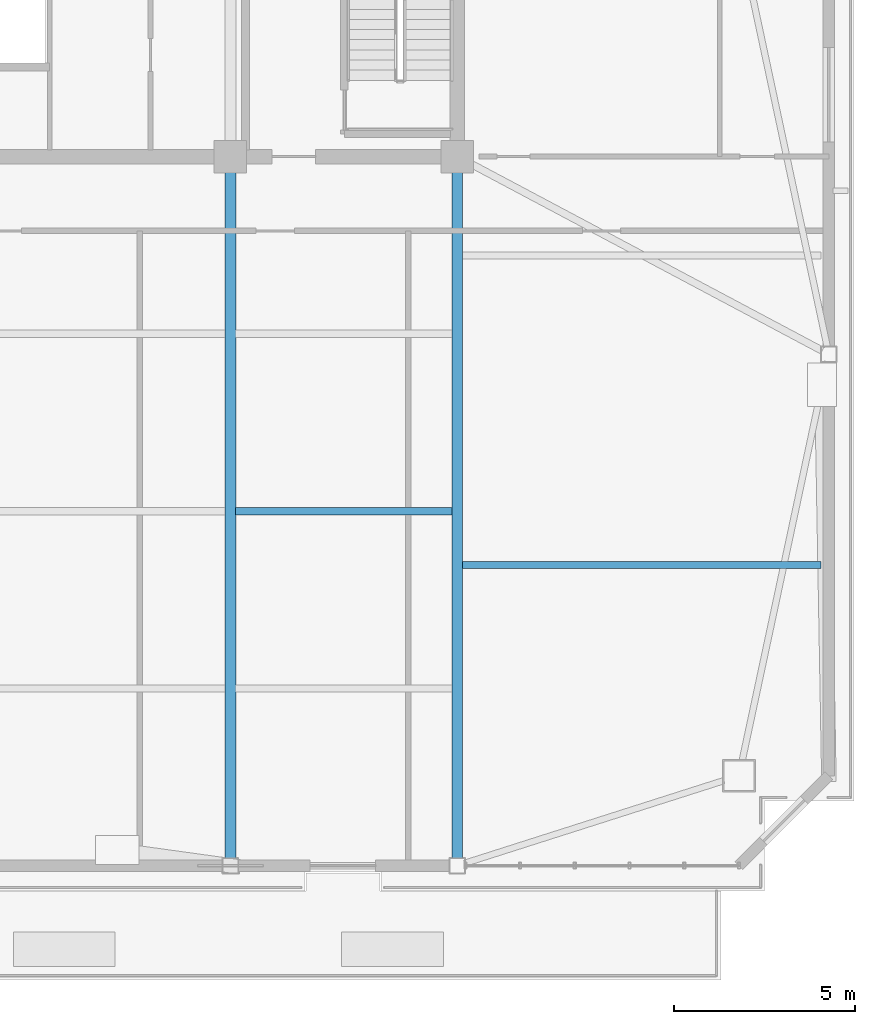
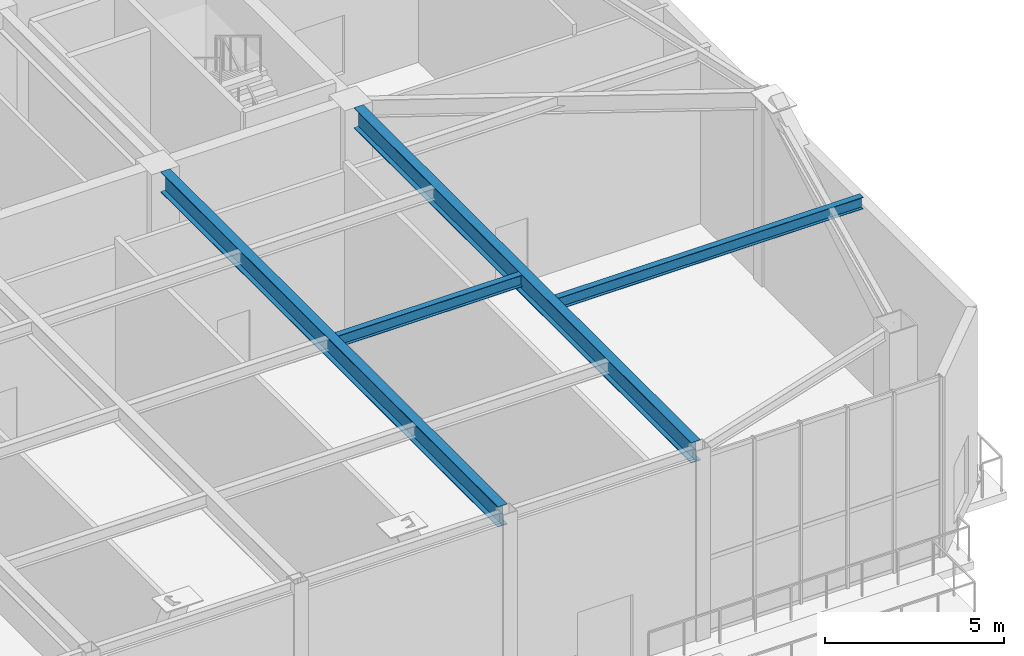
# One storey, part 5 of 15: 4 beams.
"""IFC4 building model written with IfcOpenShell, lengths in metres."""

from ifc_helpers import new_model, si_unit, direction, frame, origin, origin_2d, place, context, subcontext, project, spatial, i_section, extrude, source, transform, mapped, material, material_profile, profile_set, type_object, element, save


model = new_model("IFC4")

# Units and contexts
model_context = context("Model", 3, precision=1e-05, world=origin(), true_north=direction((0.0, 1.0)))
body_context = subcontext(model_context, "Body", "Model", "MODEL_VIEW")
ifc_project = project(units=[si_unit("LENGTHUNIT", "METRE"), si_unit("AREAUNIT", "SQUARE_METRE"), si_unit("VOLUMEUNIT", "CUBIC_METRE"), si_unit("PLANEANGLEUNIT", "RADIAN"), si_unit("MASSUNIT", "GRAM", prefix="KILO")], contexts=[model_context])

# Site, building, storey
site_placement = place(None, origin())
site = spatial("IfcSite", under=ifc_project, at=site_placement, CompositionType="ELEMENT")
building_placement = place(site_placement, origin())
building = spatial("IfcBuilding", under=site, at=building_placement, Name="Giltprow Tower", CompositionType="ELEMENT")
storey_placement = place(building_placement, frame((0.0, 0.0, 279.10009765625)))
storey = spatial("IfcBuildingStorey", under=building, at=storey_placement, Name="L72", CompositionType="ELEMENT", Elevation=279.10009765625)

# Beams
ifc_material = material(Name="Structural steel Q355B", Category="steel")
ifc_material_profile_1 = material_profile(ifc_material, i_section(OverallWidth=0.199951171875, OverallDepth=0.39990234375, WebThickness=0.008056640625, FlangeThickness=0.012939453125, at=origin_2d()), Name="HN 400x200x8x13")
ifc_profile_set_1 = profile_set([ifc_material_profile_1], Name="Structural steel Q355B")
beam_type_1 = type_object("IfcBeamType", Name="BM-JOIST-HN400", PredefinedType="JOIST", material=ifc_profile_set_1)
shared_shape_1 = source(origin(), body_context, "Body", "SweptSolid", [
    extrude(i_section(OverallWidth=0.199951171875, OverallDepth=0.39990234375, WebThickness=0.008056640625, FlangeThickness=0.012939453125, at=origin_2d()), origin(), (0.0, 0.0, 1.0), 5.9599609375),
])
beam_1_placement = place(storey_placement, frame((44.445068359375, 27.678955078125, 6.31982421875), z_axis=(1.0, 0.0, 0.0), x_axis=(0.0, 1.0, 0.0)))
element("IfcBeam", 1, at=beam_1_placement, inside=storey, type_object=beam_type_1, Name="L72 Composite Floor Joist 2-4", PredefinedType="JOIST", context=body_context, shape_type="MappedRepresentation", body=[
    mapped(shared_shape_1, transform((0.0, 0.0, 0.0), x_axis=(1.0, 0.0, 0.0), y_axis=(0.0, 1.0, 0.0), z_axis=(0.0, 0.0, 1.0), scale=1.0)),
])
ifc_material_profile_2 = material_profile(ifc_material, i_section(OverallWidth=0.300048828125, OverallDepth=0.699951171875, WebThickness=0.012939453125, FlangeThickness=0.02392578125, at=origin_2d()), Name="HN 700x300x13x24")
ifc_profile_set_2 = profile_set([ifc_material_profile_2], Name="Structural steel Q355B")
beam_type_2 = type_object("IfcBeamType", Name="BM-GIRD-HN700", PredefinedType="BEAM", material=ifc_profile_set_2)
shared_shape_2 = source(origin(), body_context, "Body", "SweptSolid", [
    extrude(i_section(OverallWidth=0.300048828125, OverallDepth=0.699951171875, WebThickness=0.012939453125, FlangeThickness=0.02392578125, at=origin_2d()), origin(), (0.0, 0.0, 1.0), 18.89697265625),
])
for number, where, z_axis, x_axis, name in (
    (2, (44.300048828125, 18.117919921875, 6.169921875), (0.0, 1.0, 0.0), (-1.0, 0.0, 0.0), "L72 Primary Lease Girder S3"),
    (3, (50.550048828125, 18.117919921875, 6.169921875), (0.0, 1.0, 0.0), (-1.0, 0.0, 0.0), "L72 Primary Lease Girder S4"),
):
    element("IfcBeam", number, at=place(storey_placement, frame(where, z_axis=z_axis, x_axis=x_axis)), inside=storey, type_object=beam_type_2, Name=name, PredefinedType="BEAM", context=body_context, shape_type="MappedRepresentation", body=[
        mapped(shared_shape_2, transform((0.0, 0.0, 0.0), x_axis=(1.0, 0.0, 0.0), y_axis=(0.0, 1.0, 0.0), z_axis=(0.0, 0.0, 1.0), scale=1.0)),
    ])
shared_shape_3 = source(origin(), body_context, "Body", "SweptSolid", [
    extrude(i_section(OverallWidth=0.199951171875, OverallDepth=0.39990234375, WebThickness=0.008056640625, FlangeThickness=0.012939453125, at=origin_2d()), origin(), (0.0, 0.0, 1.0), 9.8759765625),
])
beam_2_placement = place(storey_placement, frame((50.695068359375, 26.194091796875, 6.31982421875), z_axis=(1.0, 0.0, 0.0), x_axis=(0.0, 1.0, 0.0)))
element("IfcBeam", 4, at=beam_2_placement, inside=storey, type_object=beam_type_1, Name="L72 East Wing Floor Joist 1", PredefinedType="JOIST", context=body_context, shape_type="MappedRepresentation", body=[
    mapped(shared_shape_3, transform((0.0, 0.0, 0.0), x_axis=(1.0, 0.0, 0.0), y_axis=(0.0, 1.0, 0.0), z_axis=(0.0, 0.0, 1.0), scale=1.0)),
])

save(model, "model.ifc")
